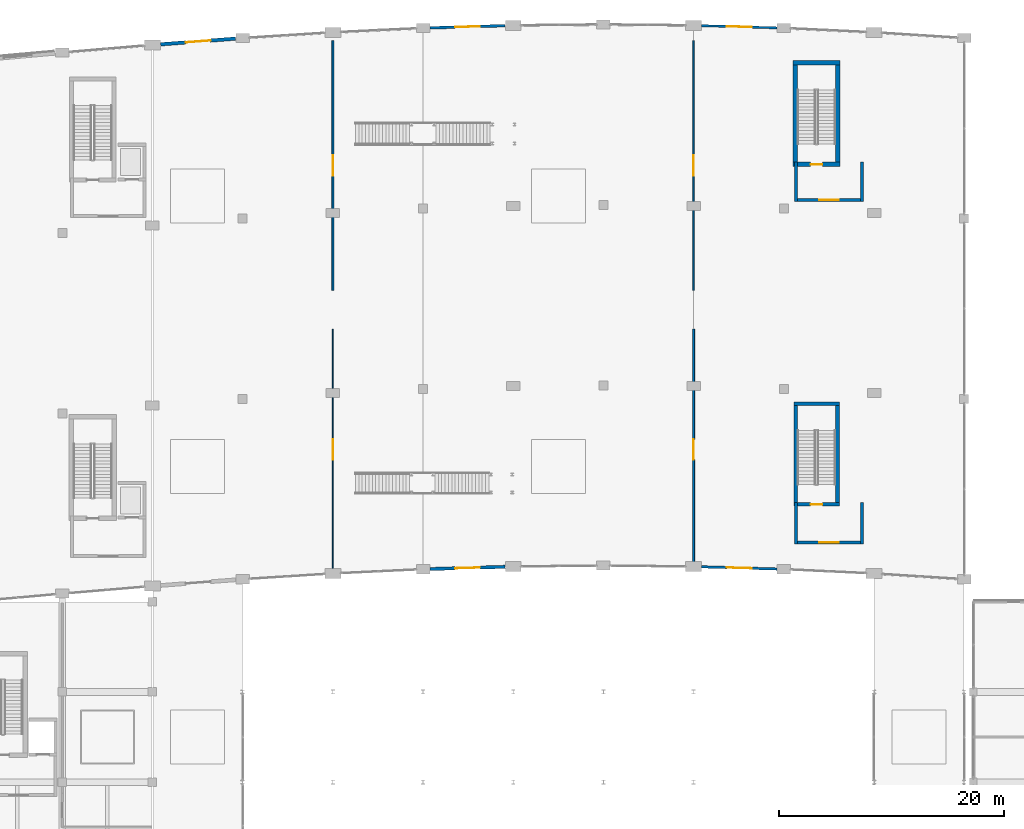
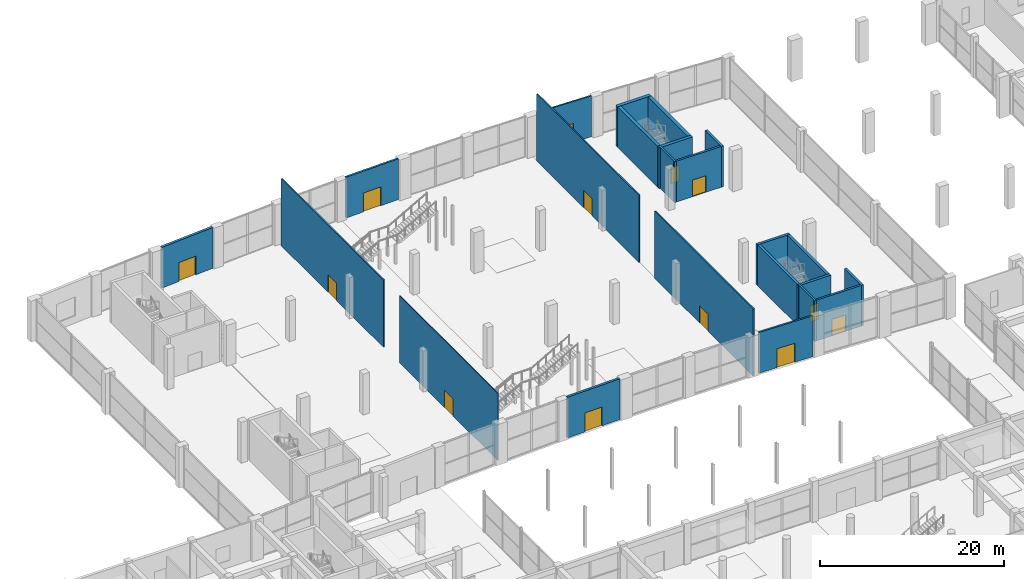
# One storey, part 59 of 86: 23 walls, 13 doors, 13 openings.
"""IFC4 building model written with IfcOpenShell, lengths in metres."""

from ifc_helpers import new_model, si_unit, direction, frame, frame_2d, origin, place, context, subcontext, project, spatial, rectangle, extrude, material, layer, layer_set, type_object, element, fill, save


model = new_model("IFC4")

# Units and contexts
model_context = context("Model", 3, precision=1e-05, world=origin(), true_north=direction((0.0, 1.0)))
body_context = subcontext(model_context, "Body", "Model", "MODEL_VIEW")
ifc_project = project(units=[si_unit("LENGTHUNIT", "METRE"), si_unit("AREAUNIT", "SQUARE_METRE"), si_unit("VOLUMEUNIT", "CUBIC_METRE"), si_unit("PLANEANGLEUNIT", "RADIAN"), si_unit("MASSUNIT", "GRAM", prefix="KILO")], contexts=[model_context])

# Site, building, storey
site_placement = place(None, origin())
site = spatial("IfcSite", under=ifc_project, at=site_placement, CompositionType="ELEMENT")
building_placement = place(site_placement, origin())
building = spatial("IfcBuilding", under=site, at=building_placement, Name="Kenh Van Central Station", CompositionType="ELEMENT")
storey_placement = place(building_placement, origin())
storey = spatial("IfcBuildingStorey", under=building, at=storey_placement, Name="L00", CompositionType="ELEMENT", Elevation=0.0)

# Wall, opening, door
ifc_material_1 = material(Name="Concrete C40/50", Category="concrete")
ifc_layer_1 = layer(ifc_material_1, 0.320068359375, Name="Concrete C40/50")
ifc_layer_set_1 = layer_set([ifc_layer_1], Name="Concrete C40/50")
wall_type_1 = type_object("IfcWallType", Name="WL-CORE-320", PredefinedType="SHEAR", material=ifc_layer_set_1)
wall_1_placement = place(storey_placement, frame((104.8798828125, 72.639892578125, 0.0), z_axis=(0.0, 0.0, 1.0), x_axis=(1.0, 0.0, 0.0)))
wall_1 = element("IfcWall", 1, at=wall_1_placement, inside=storey, type_object=wall_type_1, Name="L00 CORE-06 stair wall S", PredefinedType="SHEAR", context=body_context, shape_type="SweptSolid", body=[
    extrude(rectangle(XDim=4.0400390625, YDim=0.320068359375, at=frame_2d((2.02001953125, 0.0))), origin(), (0.0, 0.0, 1.0), 5.39990234375),
])
opening_1_placement = place(wall_1_placement, frame((1.4951171875, 0.0, 0.0)))
opening_1 = element("IfcOpeningElement", 2, at=opening_1_placement, cuts=wall_1, Name="Opening D-FD60", PredefinedType="OPENING", context=body_context, shape_type="SweptSolid", body=[
    extrude(rectangle(XDim=1.050048828125, YDim=2.14990234375, at=frame_2d((0.52490234375, 1.074951171875))), frame((0.0, 0.169921875, 0.0), z_axis=(0.0, -1.0, 0.0), x_axis=(1.0, 0.0, 0.0)), (0.0, 0.0, 1.0), 0.340087890625),
])
ifc_material_2 = material(Name="Champagne anodised aluminium", Category="aluminium")
door_type_1 = type_object("IfcDoorType", Name="DR-FIRE-1050x2150", OperationType="NOTDEFINED", PredefinedType="DOOR", material=ifc_material_2)
door_1_placement = place(opening_1_placement, origin())
door_1 = element("IfcDoor", 3, at=door_1_placement, inside=storey, type_object=door_type_1, Name="L00 ST-06 stair door", OperationType="SINGLE_SWING_RIGHT", OverallHeight=2.14990234375, OverallWidth=1.050048828125, PredefinedType="DOOR", context=body_context, shape_type="SweptSolid", body=[
    extrude(rectangle(XDim=1.050048828125, YDim=2.14990234375, at=frame_2d((0.52490234375, 1.074951171875))), frame((0.0, 0.02490234375, 0.0), z_axis=(0.0, -1.0, 0.0), x_axis=(1.0, 0.0, 0.0)), (0.0, 0.0, 1.0), 0.050048828125),
])
fill(opening_1, door_1)

# Walls
wall_2_placement = place(storey_placement, frame((104.8798828125, 81.56005859375, 0.0), z_axis=(0.0, 0.0, 1.0), x_axis=(1.0, 0.0, 0.0)))
element("IfcWall", 4, at=wall_2_placement, inside=storey, type_object=wall_type_1, Name="L00 CORE-06 stair wall N", PredefinedType="SHEAR", context=body_context, shape_type="SweptSolid", body=[
    extrude(rectangle(XDim=4.0400390625, YDim=0.320068359375, at=frame_2d((2.02001953125, 0.0))), origin(), (0.0, 0.0, 1.0), 5.39990234375),
])
for number, where, z_axis, x_axis, name in (
    (5, (105.0400390625, 72.800048828125, 0.0), (0.0, 0.0, 1.0), (0.0, 1.0, 0.0), "L00 CORE-06 stair wall W"),
    (6, (108.760009765625, 72.800048828125, 0.0), (0.0, 0.0, 1.0), (0.0, 1.0, 0.0), "L00 CORE-06 stair wall E"),
):
    element("IfcWall", number, at=place(storey_placement, frame(where, z_axis=z_axis, x_axis=x_axis)), inside=storey, type_object=wall_type_1, Name=name, PredefinedType="SHEAR", context=body_context, shape_type="SweptSolid", body=[
        extrude(rectangle(XDim=8.599853515625, YDim=0.320068359375, at=frame_2d((4.2998046875, 0.0))), origin(), (0.0, 0.0, 1.0), 5.39990234375),
    ])

# Wall, opening, door
ifc_layer_2 = layer(ifc_material_1, 0.39990234375, Name="Concrete C40/50")
ifc_layer_set_2 = layer_set([ifc_layer_2], Name="Concrete C40/50")
wall_type_2 = type_object("IfcWallType", Name="WL-CORE-400", PredefinedType="SHEAR", material=ifc_layer_set_2)
wall_3_placement = place(storey_placement, frame((104.800048828125, 102.800048828125, 0.0), z_axis=(0.0, 0.0, 1.0), x_axis=(1.0, 0.0, 0.0)))
wall_3 = element("IfcWall", 7, at=wall_3_placement, inside=storey, type_object=wall_type_2, Name="L00 CORE-08 stair wall S", PredefinedType="SHEAR", context=body_context, shape_type="SweptSolid", body=[
    extrude(rectangle(XDim=4.199951171875, YDim=0.39990234375, at=frame_2d((2.10009765625, 0.0))), origin(), (0.0, 0.0, 1.0), 5.39990234375),
])
opening_2_placement = place(wall_3_placement, frame((1.574951171875, 0.0, 0.0)))
opening_2 = element("IfcOpeningElement", 8, at=opening_2_placement, cuts=wall_3, Name="Opening D-FD60", PredefinedType="OPENING", context=body_context, shape_type="SweptSolid", body=[
    extrude(rectangle(XDim=1.050048828125, YDim=2.14990234375, at=frame_2d((0.52490234375, 1.074951171875))), frame((0.0, 0.2099609375, 0.0), z_axis=(0.0, -1.0, 0.0), x_axis=(1.0, 0.0, 0.0)), (0.0, 0.0, 1.0), 0.419921875),
])
door_2_placement = place(opening_2_placement, origin())
door_2 = element("IfcDoor", 9, at=door_2_placement, inside=storey, type_object=door_type_1, Name="L00 ST-08 stair door", OperationType="SINGLE_SWING_RIGHT", OverallHeight=2.14990234375, OverallWidth=1.050048828125, PredefinedType="DOOR", context=body_context, shape_type="SweptSolid", body=[
    extrude(rectangle(XDim=1.050048828125, YDim=2.14990234375, at=frame_2d((0.52490234375, 1.074951171875))), frame((0.0, 0.02490234375, 0.0), z_axis=(0.0, -1.0, 0.0), x_axis=(1.0, 0.0, 0.0)), (0.0, 0.0, 1.0), 0.050048828125),
])
fill(opening_2, door_2)

# Walls
wall_4_placement = place(storey_placement, frame((104.800048828125, 111.800048828125, 0.0), z_axis=(0.0, 0.0, 1.0), x_axis=(1.0, 0.0, 0.0)))
element("IfcWall", 10, at=wall_4_placement, inside=storey, type_object=wall_type_2, Name="L00 CORE-08 stair wall N", PredefinedType="SHEAR", context=body_context, shape_type="SweptSolid", body=[
    extrude(rectangle(XDim=4.199951171875, YDim=0.39990234375, at=frame_2d((2.10009765625, 0.0))), origin(), (0.0, 0.0, 1.0), 5.39990234375),
])
for number, where, z_axis, x_axis, name in (
    (11, (105.0, 103.0, 0.0), (0.0, 0.0, 1.0), (0.0, 1.0, 0.0), "L00 CORE-08 stair wall W"),
    (12, (108.800048828125, 103.0, 0.0), (0.0, 0.0, 1.0), (0.0, 1.0, 0.0), "L00 CORE-08 stair wall E"),
):
    element("IfcWall", number, at=place(storey_placement, frame(where, z_axis=z_axis, x_axis=x_axis)), inside=storey, type_object=wall_type_2, Name=name, PredefinedType="SHEAR", context=body_context, shape_type="SweptSolid", body=[
        extrude(rectangle(XDim=8.60009765625, YDim=0.39990234375, at=frame_2d((4.300048828125, 0.0))), origin(), (0.0, 0.0, 1.0), 5.39990234375),
    ])

# Wall, opening, door
ifc_material_3 = material(Name="Saigon buff sandstone and terracotta masonry", Category="masonry")
ifc_layer_3 = layer(ifc_material_3, 0.2900390625, Name="Saigon buff sandstone and terracotta masonry")
ifc_layer_set_3 = layer_set([ifc_layer_3], Name="Saigon buff sandstone and terracotta masonry")
wall_type_3 = type_object("IfcWallType", Name="WL-EXT-290", PredefinedType="STANDARD", material=ifc_layer_set_3)
wall_5_placement = place(storey_placement, frame((72.611328125, 66.901123046875, 0.0), z_axis=(0.0, 0.0, 1.0), x_axis=(0.999562652938, 0.029571994377, 0.0)))
wall_5 = element("IfcWall", 13, at=wall_5_placement, inside=storey, type_object=wall_type_3, Name="L00 exterior wall 004", PredefinedType="STANDARD", context=body_context, shape_type="SweptSolid", body=[
    extrude(rectangle(XDim=6.678955078125, YDim=0.2900390625, at=frame_2d((3.33935546875, 0.0))), origin(), (0.0, 0.0, 1.0), 5.39990234375),
])
opening_3_placement = place(wall_5_placement, frame((2.239501953125, 0.0, 0.0)))
opening_3 = element("IfcOpeningElement", 14, at=opening_3_placement, cuts=wall_5, Name="Opening D-EX2", PredefinedType="OPENING", context=body_context, shape_type="SweptSolid", body=[
    extrude(rectangle(XDim=2.199951171875, YDim=2.5, at=frame_2d((1.10009765625, 1.25))), frame((0.0, 0.155029296875, 0.0), z_axis=(0.0, -1.0, 0.0), x_axis=(1.0, 0.0, 0.0)), (0.0, 0.0, 1.0), 0.31005859375),
])
door_type_2 = type_object("IfcDoorType", Name="DR-EXT-2200x2500", OperationType="DOUBLE_DOOR_SINGLE_SWING", PredefinedType="DOOR", material=ifc_material_2)
door_3_placement = place(opening_3_placement, origin())
door_3 = element("IfcDoor", 15, at=door_3_placement, inside=storey, type_object=door_type_2, Name="L00 exterior door 003", OperationType="DOUBLE_DOOR_SINGLE_SWING", OverallHeight=2.5, OverallWidth=2.199951171875, PredefinedType="DOOR", context=body_context, shape_type="SweptSolid", body=[
    extrude(rectangle(XDim=2.199951171875, YDim=2.5, at=frame_2d((1.10009765625, 1.25))), frame((0.0, 0.02490234375, 0.0), z_axis=(0.0, -1.0, 0.0), x_axis=(1.0, 0.0, 0.0)), (0.0, 0.0, 1.0), 0.050048828125),
])
fill(opening_3, door_3)

ifc_layer_4 = layer(ifc_material_3, 0.31005859375, Name="Saigon buff sandstone and terracotta masonry")
ifc_layer_set_4 = layer_set([ifc_layer_4], Name="Saigon buff sandstone and terracotta masonry")
wall_type_4 = type_object("IfcWallType", Name="WL-EXT-310", PredefinedType="STANDARD", material=ifc_layer_set_4)
wall_6_placement = place(storey_placement, frame((55.373291015625, 113.94775390625, 0.0), z_axis=(0.0, 0.0, 1.0), x_axis=(-0.997135615718, -0.075634409277, 0.0)))
wall_6 = element("IfcWall", 16, at=wall_6_placement, inside=storey, type_object=wall_type_4, Name="L00 exterior wall 003", PredefinedType="STANDARD", context=body_context, shape_type="SweptSolid", body=[
    extrude(rectangle(XDim=6.662353515625, YDim=0.31005859375, at=frame_2d((3.3310546875, 0.0))), origin(), (0.0, 0.0, 1.0), 5.39990234375),
])
opening_4_placement = place(wall_6_placement, frame((2.231201171875, 0.0, 0.0)))
opening_4 = element("IfcOpeningElement", 17, at=opening_4_placement, cuts=wall_6, Name="Opening D-EX2", PredefinedType="OPENING", context=body_context, shape_type="SweptSolid", body=[
    extrude(rectangle(XDim=2.199951171875, YDim=2.5, at=frame_2d((1.10009765625, 1.25))), frame((0.0, 0.1650390625, 0.0), z_axis=(0.0, -1.0, 0.0), x_axis=(1.0, 0.0, 0.0)), (0.0, 0.0, 1.0), 0.330078125),
])
door_4_placement = place(opening_4_placement, frame((2.199951171875, 0.0, 0.0), z_axis=(0.0, 0.0, 1.0), x_axis=(-1.0, 0.0, 0.0)))
door_4 = element("IfcDoor", 18, at=door_4_placement, inside=storey, type_object=door_type_2, Name="L00 exterior door 002", OperationType="DOUBLE_DOOR_SINGLE_SWING", OverallHeight=2.5, OverallWidth=2.199951171875, PredefinedType="DOOR", context=body_context, shape_type="SweptSolid", body=[
    extrude(rectangle(XDim=2.199951171875, YDim=2.5, at=frame_2d((-1.10009765625, 1.25))), frame((0.0, -0.02490234375, 0.0), z_axis=(0.0, 1.0, 0.0), x_axis=(-1.0, 0.0, 0.0)), (0.0, 0.0, 1.0), 0.050048828125),
])
fill(opening_4, door_4)

ifc_layer_5 = layer(ifc_material_1, 0.260009765625, Name="Concrete C40/50")
ifc_layer_set_5 = layer_set([ifc_layer_5], Name="Concrete C40/50")
wall_type_5 = type_object("IfcWallType", Name="WL-FIRE-260", PredefinedType="SHEAR", material=ifc_layer_set_5)
wall_7_placement = place(storey_placement, frame((111.06005859375, 69.27001953125, 0.0), z_axis=(0.0, 0.0, 1.0), x_axis=(-1.0, 0.0, 0.0)))
wall_7 = element("IfcWall", 19, at=wall_7_placement, inside=storey, type_object=wall_type_5, Name="L00 CORE-06 lobby wall S", PredefinedType="SHEAR", context=body_context, shape_type="SweptSolid", body=[
    extrude(rectangle(XDim=6.1201171875, YDim=0.260009765625, at=frame_2d((3.06005859375, 0.0))), origin(), (0.0, 0.0, 1.0), 5.39990234375),
])
opening_5_placement = place(wall_7_placement, frame((2.2099609375, 0.0, 0.0)))
opening_5 = element("IfcOpeningElement", 20, at=opening_5_placement, cuts=wall_7, Name="Opening D-FD60D", PredefinedType="OPENING", context=body_context, shape_type="SweptSolid", body=[
    extrude(rectangle(XDim=1.699951171875, YDim=2.199951171875, at=frame_2d((0.85009765625, 1.10009765625))), frame((0.0, 0.139892578125, 0.0), z_axis=(0.0, -1.0, 0.0), x_axis=(1.0, 0.0, 0.0)), (0.0, 0.0, 1.0), 0.280029296875),
])
door_type_3 = type_object("IfcDoorType", Name="DR-FIRE-1700x2200", OperationType="DOUBLE_DOOR_SINGLE_SWING", PredefinedType="DOOR", material=ifc_material_2)
door_5_placement = place(opening_5_placement, origin())
door_5 = element("IfcDoor", 21, at=door_5_placement, inside=storey, type_object=door_type_3, Name="L00 CORE-06 smoke-stop lobby door", OperationType="DOUBLE_DOOR_SINGLE_SWING", OverallHeight=2.199951171875, OverallWidth=1.699951171875, PredefinedType="DOOR", context=body_context, shape_type="SweptSolid", body=[
    extrude(rectangle(XDim=1.699951171875, YDim=2.199951171875, at=frame_2d((0.85009765625, 1.10009765625))), frame((0.0, 0.02490234375, 0.0), z_axis=(0.0, -1.0, 0.0), x_axis=(1.0, 0.0, 0.0)), (0.0, 0.0, 1.0), 0.050048828125),
])
fill(opening_5, door_5)

# Walls
for number, where, z_axis, x_axis, name in (
    (22, (105.070068359375, 69.139892578125, 0.0), (0.0, 0.0, 1.0), (0.0, 1.0, 0.0), "L00 CORE-06 lobby wall W"),
    (23, (110.929931640625, 69.139892578125, 0.0), (0.0, 0.0, 1.0), (0.0, 1.0, 0.0), "L00 CORE-06 lobby wall E"),
):
    element("IfcWall", number, at=place(storey_placement, frame(where, z_axis=z_axis, x_axis=x_axis)), inside=storey, type_object=wall_type_5, Name=name, PredefinedType="SHEAR", context=body_context, shape_type="SweptSolid", body=[
        extrude(rectangle(XDim=3.66015625, YDim=0.260009765625, at=frame_2d((1.830078125, 0.0))), origin(), (0.0, 0.0, 1.0), 5.39990234375),
    ])

# Wall, opening, door
wall_8_placement = place(storey_placement, frame((111.06005859375, 99.6201171875, 0.0), z_axis=(0.0, 0.0, 1.0), x_axis=(-1.0, 0.0, 0.0)))
wall_8 = element("IfcWall", 24, at=wall_8_placement, inside=storey, type_object=wall_type_5, Name="L00 CORE-08 lobby wall S", PredefinedType="SHEAR", context=body_context, shape_type="SweptSolid", body=[
    extrude(rectangle(XDim=6.1201171875, YDim=0.260009765625, at=frame_2d((3.06005859375, 0.0))), origin(), (0.0, 0.0, 1.0), 5.39990234375),
])
opening_6_placement = place(wall_8_placement, frame((2.2099609375, 0.0, 0.0)))
opening_6 = element("IfcOpeningElement", 25, at=opening_6_placement, cuts=wall_8, Name="Opening D-FD60D", PredefinedType="OPENING", context=body_context, shape_type="SweptSolid", body=[
    extrude(rectangle(XDim=1.699951171875, YDim=2.199951171875, at=frame_2d((0.85009765625, 1.10009765625))), frame((0.0, 0.139892578125, 0.0), z_axis=(0.0, -1.0, 0.0), x_axis=(1.0, 0.0, 0.0)), (0.0, 0.0, 1.0), 0.280029296875),
])
door_6_placement = place(opening_6_placement, origin())
door_6 = element("IfcDoor", 26, at=door_6_placement, inside=storey, type_object=door_type_3, Name="L00 CORE-08 smoke-stop lobby door", OperationType="DOUBLE_DOOR_SINGLE_SWING", OverallHeight=2.199951171875, OverallWidth=1.699951171875, PredefinedType="DOOR", context=body_context, shape_type="SweptSolid", body=[
    extrude(rectangle(XDim=1.699951171875, YDim=2.199951171875, at=frame_2d((0.85009765625, 1.10009765625))), frame((0.0, 0.02490234375, 0.0), z_axis=(0.0, -1.0, 0.0), x_axis=(1.0, 0.0, 0.0)), (0.0, 0.0, 1.0), 0.050048828125),
])
fill(opening_6, door_6)

# Walls
for number, where, z_axis, x_axis, name in (
    (27, (105.070068359375, 99.489990234375, 0.0), (0.0, 0.0, 1.0), (0.0, 1.0, 0.0), "L00 CORE-08 lobby wall W"),
    (28, (110.929931640625, 99.489990234375, 0.0), (0.0, 0.0, 1.0), (0.0, 1.0, 0.0), "L00 CORE-08 lobby wall E"),
):
    element("IfcWall", number, at=place(storey_placement, frame(where, z_axis=z_axis, x_axis=x_axis)), inside=storey, type_object=wall_type_5, Name=name, PredefinedType="SHEAR", context=body_context, shape_type="SweptSolid", body=[
        extrude(rectangle(XDim=3.510009765625, YDim=0.260009765625, at=frame_2d((1.7548828125, 0.0))), origin(), (0.0, 0.0, 1.0), 5.39990234375),
    ])

# Wall, opening, door
ifc_material_4 = material(Name="Lightweight acoustic masonry blockwork", Category="masonry")
ifc_layer_6 = layer(ifc_material_4, 0.10009765625, Name="Lightweight acoustic masonry blockwork")
ifc_layer_set_6 = layer_set([ifc_layer_6], Name="Lightweight acoustic masonry blockwork")
wall_type_6 = type_object("IfcWallType", Name="WL-PART-100", PredefinedType="PARTITIONING", material=ifc_layer_set_6)
wall_9_placement = place(storey_placement, frame((64.0, 66.820068359375, 0.0), z_axis=(0.0, 0.0, 1.0), x_axis=(0.0, 1.0, 0.0)))
wall_9 = element("IfcWall", 29, at=wall_9_placement, inside=storey, type_object=wall_type_6, Name="L00 interior wall 0062", PredefinedType="PARTITIONING", context=body_context, shape_type="SweptSolid", body=[
    extrude(rectangle(XDim=21.35986328125, YDim=0.10009765625, at=frame_2d((10.679931640625, 0.0))), origin(), (0.0, 0.0, 1.0), 8.89990234375),
])
opening_7_placement = place(wall_9_placement, frame((9.7548828125, 0.0, 0.0)))
opening_7 = element("IfcOpeningElement", 30, at=opening_7_placement, cuts=wall_9, Name="Opening D-IN01", PredefinedType="OPENING", context=body_context, shape_type="SweptSolid", body=[
    extrude(rectangle(XDim=1.85009765625, YDim=2.300048828125, at=frame_2d((0.925048828125, 1.14990234375))), frame((0.0, 0.06005859375, 0.0), z_axis=(0.0, -1.0, 0.0), x_axis=(1.0, 0.0, 0.0)), (0.0, 0.0, 1.0), 0.1201171875),
])
ifc_material_5 = material(Name="Architectural hardwood timber", Category="wood")
door_type_4 = type_object("IfcDoorType", Name="DR-INT-1850x2300", OperationType="DOUBLE_DOOR_SINGLE_SWING", PredefinedType="DOOR", material=ifc_material_5)
door_7_placement = place(opening_7_placement, origin())
door_7 = element("IfcDoor", 31, at=door_7_placement, inside=storey, type_object=door_type_4, Name="L00 interior door 0033", OperationType="DOUBLE_DOOR_SINGLE_SWING", OverallHeight=2.300048828125, OverallWidth=1.85009765625, PredefinedType="DOOR", context=body_context, shape_type="SweptSolid", body=[
    extrude(rectangle(XDim=1.85009765625, YDim=2.300048828125, at=frame_2d((0.925048828125, 1.14990234375))), frame((0.0, 0.02490234375, 0.0), z_axis=(0.0, -1.0, 0.0), x_axis=(1.0, 0.0, 0.0)), (0.0, 0.0, 1.0), 0.050048828125),
])
fill(opening_7, door_7)

ifc_layer_7 = layer(ifc_material_4, 0.14990234375, Name="Lightweight acoustic masonry blockwork")
ifc_layer_set_7 = layer_set([ifc_layer_7], Name="Lightweight acoustic masonry blockwork")
wall_type_7 = type_object("IfcWallType", Name="WL-PART-150", PredefinedType="PARTITIONING", material=ifc_layer_set_7)
wall_10_placement = place(storey_placement, frame((96.0, 91.6201171875, 0.0), z_axis=(0.0, 0.0, 1.0), x_axis=(0.0, 1.0, 0.0)))
wall_10 = element("IfcWall", 32, at=wall_10_placement, inside=storey, type_object=wall_type_7, Name="L00 interior wall 0065", PredefinedType="PARTITIONING", context=body_context, shape_type="SweptSolid", body=[
    extrude(rectangle(XDim=22.159912109375, YDim=0.14990234375, at=frame_2d((11.080078125, 0.0))), origin(), (0.0, 0.0, 1.0), 8.89990234375),
])
opening_8_placement = place(wall_10_placement, frame((10.155029296875, 0.0, 0.0)))
opening_8 = element("IfcOpeningElement", 33, at=opening_8_placement, cuts=wall_10, Name="Opening D-IN01", PredefinedType="OPENING", context=body_context, shape_type="SweptSolid", body=[
    extrude(rectangle(XDim=1.85009765625, YDim=2.300048828125, at=frame_2d((0.925048828125, 1.14990234375))), frame((0.0, 0.0849609375, 0.0), z_axis=(0.0, -1.0, 0.0), x_axis=(1.0, 0.0, 0.0)), (0.0, 0.0, 1.0), 0.169921875),
])
door_8_placement = place(opening_8_placement, origin())
door_8 = element("IfcDoor", 34, at=door_8_placement, inside=storey, type_object=door_type_4, Name="L00 interior door 0036", OperationType="DOUBLE_DOOR_SINGLE_SWING", OverallHeight=2.300048828125, OverallWidth=1.85009765625, PredefinedType="DOOR", context=body_context, shape_type="SweptSolid", body=[
    extrude(rectangle(XDim=1.85009765625, YDim=2.300048828125, at=frame_2d((0.925048828125, 1.14990234375))), frame((0.0, 0.02490234375, 0.0), z_axis=(0.0, -1.0, 0.0), x_axis=(1.0, 0.0, 0.0)), (0.0, 0.0, 1.0), 0.050048828125),
])
fill(opening_8, door_8)

ifc_layer_8 = layer(ifc_material_4, 0.159912109375, Name="Lightweight acoustic masonry blockwork")
ifc_layer_set_8 = layer_set([ifc_layer_8], Name="Lightweight acoustic masonry blockwork")
wall_type_8 = type_object("IfcWallType", Name="WL-PART-160", PredefinedType="PARTITIONING", material=ifc_layer_set_8)
wall_11_placement = place(storey_placement, frame((64.0, 91.6201171875, 0.0), z_axis=(0.0, 0.0, 1.0), x_axis=(0.0, 1.0, 0.0)))
wall_11 = element("IfcWall", 35, at=wall_11_placement, inside=storey, type_object=wall_type_8, Name="L00 interior wall 0064", PredefinedType="PARTITIONING", context=body_context, shape_type="SweptSolid", body=[
    extrude(rectangle(XDim=22.159912109375, YDim=0.159912109375, at=frame_2d((11.080078125, 0.0))), origin(), (0.0, 0.0, 1.0), 8.89990234375),
])
opening_9_placement = place(wall_11_placement, frame((10.155029296875, 0.0, 0.0)))
opening_9 = element("IfcOpeningElement", 36, at=opening_9_placement, cuts=wall_11, Name="Opening D-IN01", PredefinedType="OPENING", context=body_context, shape_type="SweptSolid", body=[
    extrude(rectangle(XDim=1.85009765625, YDim=2.300048828125, at=frame_2d((0.925048828125, 1.14990234375))), frame((0.0, 0.08984375, 0.0), z_axis=(0.0, -1.0, 0.0), x_axis=(1.0, 0.0, 0.0)), (0.0, 0.0, 1.0), 0.179931640625),
])
door_9_placement = place(opening_9_placement, origin())
door_9 = element("IfcDoor", 37, at=door_9_placement, inside=storey, type_object=door_type_4, Name="L00 interior door 0035", OperationType="DOUBLE_DOOR_SINGLE_SWING", OverallHeight=2.300048828125, OverallWidth=1.85009765625, PredefinedType="DOOR", context=body_context, shape_type="SweptSolid", body=[
    extrude(rectangle(XDim=1.85009765625, YDim=2.300048828125, at=frame_2d((0.925048828125, 1.14990234375))), frame((0.0, 0.02490234375, 0.0), z_axis=(0.0, -1.0, 0.0), x_axis=(1.0, 0.0, 0.0)), (0.0, 0.0, 1.0), 0.050048828125),
])
fill(opening_9, door_9)

ifc_layer_9 = layer(ifc_material_4, 0.175048828125, Name="Lightweight acoustic masonry blockwork")
ifc_layer_set_9 = layer_set([ifc_layer_9], Name="Lightweight acoustic masonry blockwork")
wall_type_9 = type_object("IfcWallType", Name="WL-PART-175", PredefinedType="PARTITIONING", material=ifc_layer_set_9)
wall_12_placement = place(storey_placement, frame((96.0, 66.820068359375, 0.0), z_axis=(0.0, 0.0, 1.0), x_axis=(0.0, 1.0, 0.0)))
wall_12 = element("IfcWall", 38, at=wall_12_placement, inside=storey, type_object=wall_type_9, Name="L00 interior wall 0063", PredefinedType="PARTITIONING", context=body_context, shape_type="SweptSolid", body=[
    extrude(rectangle(XDim=21.35986328125, YDim=0.175048828125, at=frame_2d((10.679931640625, 0.0))), origin(), (0.0, 0.0, 1.0), 8.89990234375),
])
opening_10_placement = place(wall_12_placement, frame((9.7548828125, 0.0, 0.0)))
opening_10 = element("IfcOpeningElement", 39, at=opening_10_placement, cuts=wall_12, Name="Opening D-IN01", PredefinedType="OPENING", context=body_context, shape_type="SweptSolid", body=[
    extrude(rectangle(XDim=1.85009765625, YDim=2.300048828125, at=frame_2d((0.925048828125, 1.14990234375))), frame((0.0, 0.097412109375, 0.0), z_axis=(0.0, -1.0, 0.0), x_axis=(1.0, 0.0, 0.0)), (0.0, 0.0, 1.0), 0.195068359375),
])
door_10_placement = place(opening_10_placement, origin())
door_10 = element("IfcDoor", 40, at=door_10_placement, inside=storey, type_object=door_type_4, Name="L00 interior door 0034", OperationType="DOUBLE_DOOR_SINGLE_SWING", OverallHeight=2.300048828125, OverallWidth=1.85009765625, PredefinedType="DOOR", context=body_context, shape_type="SweptSolid", body=[
    extrude(rectangle(XDim=1.85009765625, YDim=2.300048828125, at=frame_2d((0.925048828125, 1.14990234375))), frame((0.0, 0.02490234375, 0.0), z_axis=(0.0, -1.0, 0.0), x_axis=(1.0, 0.0, 0.0)), (0.0, 0.0, 1.0), 0.050048828125),
])
fill(opening_10, door_10)

ifc_material_6 = material(Name="Glazed terracotta architectural masonry", Category="masonry")
ifc_layer_10 = layer(ifc_material_6, 0.195068359375, Name="Glazed terracotta architectural masonry")
ifc_layer_set_10 = layer_set([ifc_layer_10], Name="Glazed terracotta architectural masonry")
wall_type_10 = type_object("IfcWallType", Name="WL-SLD-195", PredefinedType="SOLIDWALL", material=ifc_layer_set_10)
wall_13_placement = place(storey_placement, frame((103.388671875, 114.901123046875, 0.0), z_axis=(0.0, 0.0, 1.0), x_axis=(-0.999562652938, 0.029571994377, 0.0)))
wall_13 = element("IfcWall", 41, at=wall_13_placement, inside=storey, type_object=wall_type_10, Name="L00 exterior wall 007", PredefinedType="SOLIDWALL", context=body_context, shape_type="SweptSolid", body=[
    extrude(rectangle(XDim=6.678955078125, YDim=0.195068359375, at=frame_2d((3.33935546875, 0.0))), origin(), (0.0, 0.0, 1.0), 5.39990234375),
])
opening_11_placement = place(wall_13_placement, frame((2.239501953125, 0.0, 0.0)))
opening_11 = element("IfcOpeningElement", 42, at=opening_11_placement, cuts=wall_13, Name="Opening D-EX2", PredefinedType="OPENING", context=body_context, shape_type="SweptSolid", body=[
    extrude(rectangle(XDim=2.199951171875, YDim=2.5, at=frame_2d((1.10009765625, 1.25))), frame((0.0, 0.107421875, 0.0), z_axis=(0.0, -1.0, 0.0), x_axis=(1.0, 0.0, 0.0)), (0.0, 0.0, 1.0), 0.215087890625),
])
door_11_placement = place(opening_11_placement, frame((2.199951171875, 0.0, 0.0), z_axis=(0.0, 0.0, 1.0), x_axis=(-1.0, 0.0, 0.0)))
door_11 = element("IfcDoor", 43, at=door_11_placement, inside=storey, type_object=door_type_2, Name="L00 exterior door 006", OperationType="DOUBLE_DOOR_SINGLE_SWING", OverallHeight=2.5, OverallWidth=2.199951171875, PredefinedType="DOOR", context=body_context, shape_type="SweptSolid", body=[
    extrude(rectangle(XDim=2.199951171875, YDim=2.5, at=frame_2d((-1.10009765625, 1.25))), frame((0.0, -0.02490234375, 0.0), z_axis=(0.0, 1.0, 0.0), x_axis=(-1.0, 0.0, 0.0)), (0.0, 0.0, 1.0), 0.050048828125),
])
fill(opening_11, door_11)

ifc_layer_11 = layer(ifc_material_6, 0.219970703125, Name="Glazed terracotta architectural masonry")
ifc_layer_set_11 = layer_set([ifc_layer_11], Name="Glazed terracotta architectural masonry")
wall_type_11 = type_object("IfcWallType", Name="WL-SLD-220", PredefinedType="SOLIDWALL", material=ifc_layer_set_11)
wall_14_placement = place(storey_placement, frame((96.712646484375, 67.0986328125, 0.0), z_axis=(0.0, 0.0, 1.0), x_axis=(0.999562652938, -0.029571994377, 0.0)))
wall_14 = element("IfcWall", 44, at=wall_14_placement, inside=storey, type_object=wall_type_11, Name="L00 exterior wall 006", PredefinedType="SOLIDWALL", context=body_context, shape_type="SweptSolid", body=[
    extrude(rectangle(XDim=6.678955078125, YDim=0.219970703125, at=frame_2d((3.33935546875, 0.0))), origin(), (0.0, 0.0, 1.0), 5.39990234375),
])
opening_12_placement = place(wall_14_placement, frame((2.239501953125, 0.0, 0.0)))
opening_12 = element("IfcOpeningElement", 45, at=opening_12_placement, cuts=wall_14, Name="Opening D-EX2", PredefinedType="OPENING", context=body_context, shape_type="SweptSolid", body=[
    extrude(rectangle(XDim=2.199951171875, YDim=2.5, at=frame_2d((1.10009765625, 1.25))), frame((0.0, 0.119873046875, 0.0), z_axis=(0.0, -1.0, 0.0), x_axis=(1.0, 0.0, 0.0)), (0.0, 0.0, 1.0), 0.239990234375),
])
door_12_placement = place(opening_12_placement, origin())
door_12 = element("IfcDoor", 46, at=door_12_placement, inside=storey, type_object=door_type_2, Name="L00 exterior door 005", OperationType="DOUBLE_DOOR_SINGLE_SWING", OverallHeight=2.5, OverallWidth=2.199951171875, PredefinedType="DOOR", context=body_context, shape_type="SweptSolid", body=[
    extrude(rectangle(XDim=2.199951171875, YDim=2.5, at=frame_2d((1.10009765625, 1.25))), frame((0.0, 0.02490234375, 0.0), z_axis=(0.0, -1.0, 0.0), x_axis=(1.0, 0.0, 0.0)), (0.0, 0.0, 1.0), 0.050048828125),
])
fill(opening_12, door_12)

ifc_layer_12 = layer(ifc_material_6, 0.239990234375, Name="Glazed terracotta architectural masonry")
ifc_layer_set_12 = layer_set([ifc_layer_12], Name="Glazed terracotta architectural masonry")
wall_type_12 = type_object("IfcWallType", Name="WL-SLD-240", PredefinedType="SOLIDWALL", material=ifc_layer_set_12)
wall_15_placement = place(storey_placement, frame((79.287353515625, 115.0986328125, 0.0), z_axis=(0.0, 0.0, 1.0), x_axis=(-0.999562652938, -0.029571994377, 0.0)))
wall_15 = element("IfcWall", 47, at=wall_15_placement, inside=storey, type_object=wall_type_12, Name="L00 exterior wall 005", PredefinedType="SOLIDWALL", context=body_context, shape_type="SweptSolid", body=[
    extrude(rectangle(XDim=6.678955078125, YDim=0.239990234375, at=frame_2d((3.33935546875, 0.0))), origin(), (0.0, 0.0, 1.0), 5.39990234375),
])
opening_13_placement = place(wall_15_placement, frame((2.239501953125, 0.0, 0.0)))
opening_13 = element("IfcOpeningElement", 48, at=opening_13_placement, cuts=wall_15, Name="Opening D-EX2", PredefinedType="OPENING", context=body_context, shape_type="SweptSolid", body=[
    extrude(rectangle(XDim=2.199951171875, YDim=2.5, at=frame_2d((1.10009765625, 1.25))), frame((0.0, 0.1298828125, 0.0), z_axis=(0.0, -1.0, 0.0), x_axis=(1.0, 0.0, 0.0)), (0.0, 0.0, 1.0), 0.260009765625),
])
door_13_placement = place(opening_13_placement, frame((2.199951171875, 0.0, 0.0), z_axis=(0.0, 0.0, 1.0), x_axis=(-1.0, 0.0, 0.0)))
door_13 = element("IfcDoor", 49, at=door_13_placement, inside=storey, type_object=door_type_2, Name="L00 exterior door 004", OperationType="DOUBLE_DOOR_SINGLE_SWING", OverallHeight=2.5, OverallWidth=2.199951171875, PredefinedType="DOOR", context=body_context, shape_type="SweptSolid", body=[
    extrude(rectangle(XDim=2.199951171875, YDim=2.5, at=frame_2d((-1.10009765625, 1.25))), frame((0.0, -0.02490234375, 0.0), z_axis=(0.0, 1.0, 0.0), x_axis=(-1.0, 0.0, 0.0)), (0.0, 0.0, 1.0), 0.050048828125),
])
fill(opening_13, door_13)

save(model, "model.ifc")
